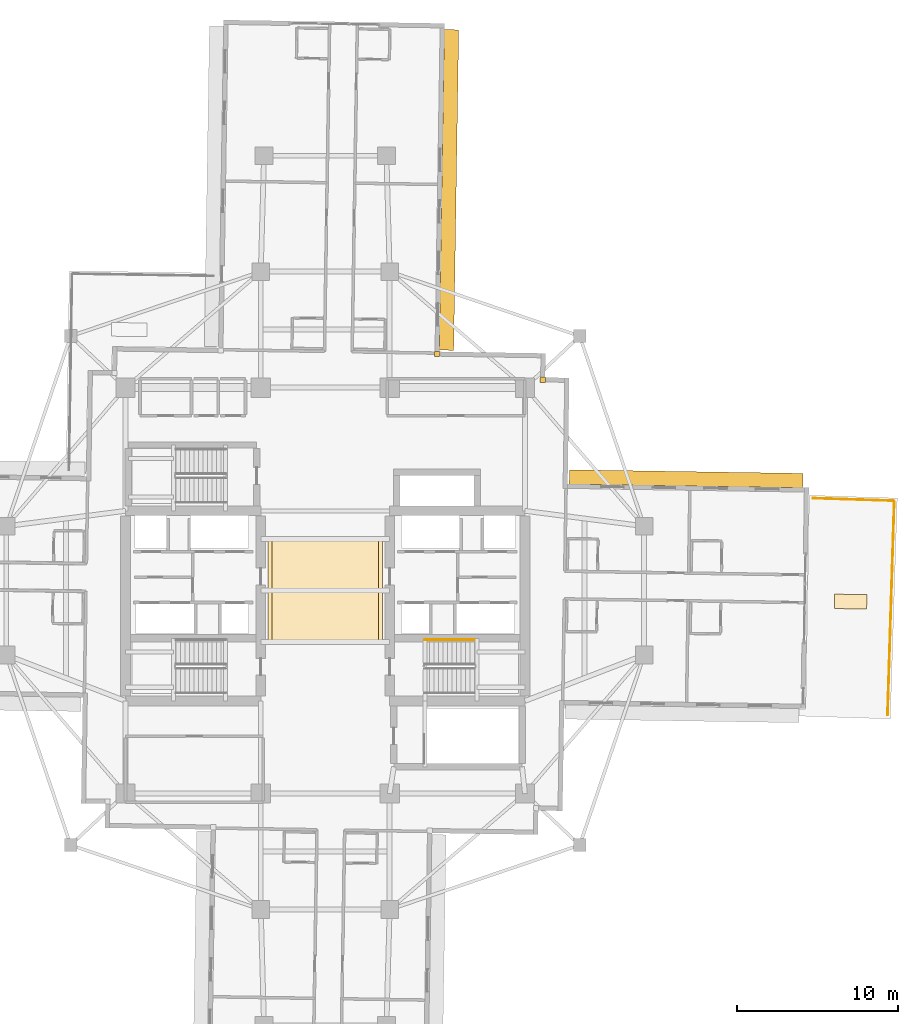
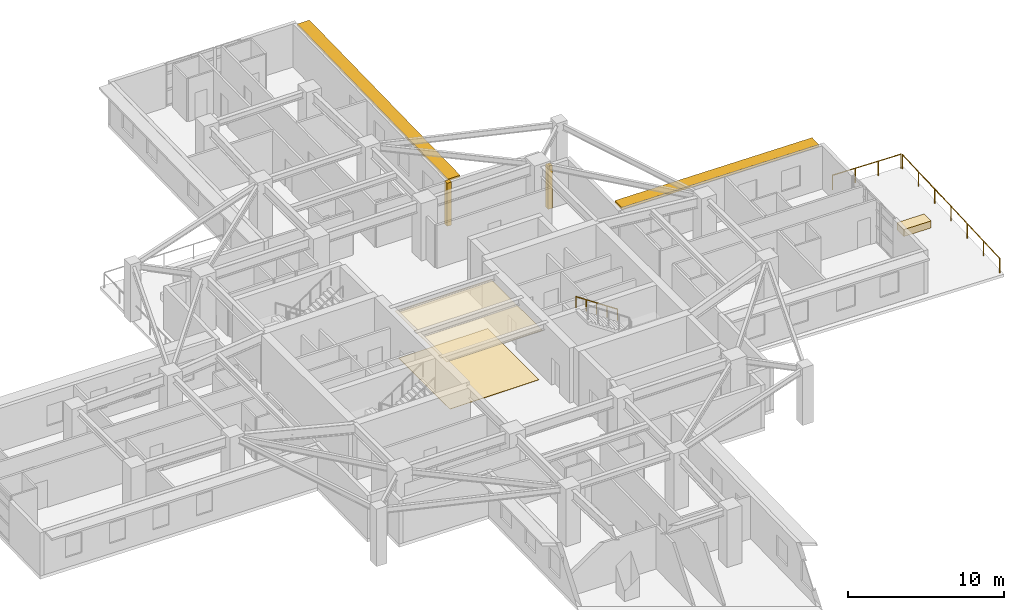
# One storey, part 22 of 22: 5 coverings, 3 railings, 2 shading devices.
"""IFC4 building model written with IfcOpenShell, lengths in metres."""

from ifc_helpers import new_model, si_unit, direction, frame, origin, origin_with_axes, origin_2d, place, context, subcontext, project, spatial, rectangle, circle, extrude, material, layer, layer_set, type_object, element, save


model = new_model("IFC4")

# Units and contexts
model_context = context("Model", 3, precision=1e-05, world=origin(), true_north=direction((0.0, 1.0)))
body_context = subcontext(model_context, "Body", "Model", "MODEL_VIEW")
ifc_project = project(units=[si_unit("LENGTHUNIT", "METRE"), si_unit("AREAUNIT", "SQUARE_METRE"), si_unit("VOLUMEUNIT", "CUBIC_METRE"), si_unit("PLANEANGLEUNIT", "RADIAN"), si_unit("MASSUNIT", "GRAM", prefix="KILO")], contexts=[model_context])

# Site, building, storey
site_placement = place(None, origin())
site = spatial("IfcSite", under=ifc_project, at=site_placement, CompositionType="ELEMENT")
building_placement = place(site_placement, origin())
building = spatial("IfcBuilding", under=site, at=building_placement, Name="Qingluan Cross Belvedere", CompositionType="ELEMENT")
storey_placement = place(building_placement, frame((0.0, 0.0, 100.199951171875)))
storey = spatial("IfcBuildingStorey", under=building, at=storey_placement, Name="L25", CompositionType="ELEMENT", Elevation=100.199951171875)

# Coverings
ifc_material_1 = material(Name="Perforated gypsum acoustic ceiling board")
ifc_layer_1 = layer(ifc_material_1, 0.0400390625, Name="AcousticLobbyCeiling_40")
ifc_layer_set_1 = layer_set([ifc_layer_1], Name="Perforated gypsum acoustic ceiling board")
covering_type_1 = type_object("IfcCoveringType", Name="AcousticLobbyCeiling_40", PredefinedType="CEILING", material=ifc_layer_set_1)
covering_1_placement = place(storey_placement, frame((0.0, 0.0, 3.77197265625), z_axis=(0.0, 0.0, 1.0), x_axis=(1.0, 0.0, 0.0)))
element("IfcCovering", 1, at=covering_1_placement, inside=storey, type_object=covering_type_1, Name="Central lobby acoustic ceiling L25", PredefinedType="CEILING", context=body_context, shape_type="SweptSolid", body=[
    extrude(rectangle(XDim=7.10009765625, YDim=6.60009765625, at=origin_2d()), origin(), (0.0, 0.0, 1.0), 0.0400390625),
])
ifc_material_2 = material(Name="Precast concrete C45", Category="concrete")
ifc_layer_2 = layer(ifc_material_2, 0.1201171875, Name="ConcreteSpandrelCladding_120")
ifc_layer_set_2 = layer_set([ifc_layer_2], Name="Precast concrete C45")
covering_type_2 = type_object("IfcCoveringType", Name="ConcreteSpandrelCladding_120", PredefinedType="CLADDING", material=ifc_layer_set_2)
for number, where, z_axis, x_axis, name in (
    (2, (13.50732421875, 13.089599609375, 0.0), (0.0, 0.0, 1.0), (0.999876632482, -0.015707317312, 0.0), "Corner closure L25-NE1"),
    (3, (6.95166015625, 14.692626953125, 0.0), (0.0, 0.0, 1.0), (0.999876632482, -0.015707317312, 0.0), "Corner closure L25-NE2"),
):
    element("IfcCovering", number, at=place(storey_placement, frame(where, z_axis=z_axis, x_axis=x_axis)), inside=storey, type_object=covering_type_2, Name=name, PredefinedType="CLADDING", context=body_context, shape_type="SweptSolid", body=[
        extrude(rectangle(XDim=0.320068359375, YDim=0.320068359375, at=origin_2d()), origin(), (0.0, 0.0, 1.0), 3.3798828125),
    ])

# Shading devices
ifc_material_3 = material(Name="Precast concrete C45", Category="concrete")
ifc_layer_3 = layer(ifc_material_3, 0.159912109375, Name="ConcreteSunshadeBand_900")
ifc_layer_set_3 = layer_set([ifc_layer_3], Name="Precast concrete C45")
shading_device_type = type_object("IfcShadingDeviceType", Name="ConcreteSunshadeBand_900", PredefinedType="USERDEFINED", material=ifc_layer_set_3)
shading_device_1_placement = place(storey_placement, frame((22.40185546875, 6.93896484375, 3.2001953125), z_axis=(0.0, 0.0, 1.0), x_axis=(-0.999876630106, 0.015707468526, 0.0)))
element("IfcShadingDevice", 4, at=shading_device_1_placement, inside=storey, type_object=shading_device_type, Name="Concrete SUNSHADE L25-EB", ObjectType="SUNSHADE", PredefinedType="USERDEFINED", context=body_context, shape_type="SweptSolid", body=[
    extrude(rectangle(XDim=14.5, YDim=0.89990234375, at=origin_2d()), origin(), (0.0, 0.0, 1.0), 0.159912109375),
])
shading_device_2_placement = place(storey_placement, frame((7.681640625, 24.872314453125, 3.2001953125), z_axis=(0.0, 0.0, 1.0), x_axis=(0.015711457647, 0.999876567432, 0.0)))
element("IfcShadingDevice", 5, at=shading_device_2_placement, inside=storey, type_object=shading_device_type, Name="Concrete SUNSHADE L25-NA", ObjectType="SUNSHADE", PredefinedType="USERDEFINED", context=body_context, shape_type="SweptSolid", body=[
    extrude(rectangle(XDim=19.89990234375, YDim=0.89990234375, at=origin_2d()), origin(), (0.0, 0.0, 1.0), 0.159912109375),
])

# Covering
ifc_material_4 = material(Name="Honed Hubei grey granite stone flooring", Category="masonry")
ifc_layer_4 = layer(ifc_material_4, 0.030029296875, Name="GraniteLobbyFlooring_30")
ifc_layer_set_4 = layer_set([ifc_layer_4], Name="Honed Hubei grey granite stone flooring")
covering_type_3 = type_object("IfcCoveringType", Name="GraniteLobbyFlooring_30", PredefinedType="FLOORING", material=ifc_layer_set_4)
covering_2_placement = place(storey_placement, origin_with_axes())
element("IfcCovering", 6, at=covering_2_placement, inside=storey, type_object=covering_type_3, Name="Central lobby granite flooring L25", PredefinedType="FLOORING", context=body_context, shape_type="SweptSolid", body=[
    extrude(rectangle(XDim=6.60009765625, YDim=6.60009765625, at=origin_2d()), origin(), (0.0, 0.0, 1.0), 0.030029296875),
])

# Railings
ifc_material_5 = material(Name="Brushed stainless steel tubular handrail", Category="steel")
railing_type_1 = type_object("IfcRailingType", Name="StairPitchHandrail_900", PredefinedType="HANDRAIL", material=ifc_material_5)
railing_1_placement = place(storey_placement, frame((9.260009765625, -3.050048828125, 2.4375)))
element("IfcRailing", 7, at=railing_1_placement, inside=storey, type_object=railing_type_1, Name="L25 ST2 stair handrail 2", PredefinedType="HANDRAIL", context=body_context, shape_type="SweptSolid", body=[
    extrude(circle(Radius=0.02392578125, at=origin_2d()), frame((0.0, 0.0, 0.8759765625), z_axis=(-0.830913701846, 0.0, 0.55640131208), x_axis=(0.0, -1.0, 0.0)), (0.0, 0.0, 1.0), 3.706787109375),
    extrude(circle(Radius=0.02099609375, at=origin_2d()), origin(), (0.0, 0.0, 1.0), 0.851806640625),
    extrude(circle(Radius=0.02099609375, at=origin_2d()), frame((-0.77001953125, 0.0, 0.515625)), (0.0, 0.0, 1.0), 0.851806640625),
    extrude(circle(Radius=0.02099609375, at=origin_2d()), frame((-1.5400390625, 0.0, 1.03125)), (0.0, 0.0, 1.0), 0.851806640625),
    extrude(circle(Radius=0.02099609375, at=origin_2d()), frame((-2.31005859375, 0.0, 1.546875)), (0.0, 0.0, 1.0), 0.851806640625),
    extrude(circle(Radius=0.02099609375, at=origin_2d()), frame((-3.080078125, 0.0, 2.0625)), (0.0, 0.0, 1.0), 0.851806640625),
])
ifc_material_6 = material(Name="Laminated glass and stainless steel balustrade", Category="steel")
railing_type_2 = type_object("IfcRailingType", Name="TerraceGuardBalustrade_1150", PredefinedType="BALUSTRADE", material=ifc_material_6)
railing_2_placement = place(storey_placement, frame((30.273681640625, 5.73193359375, 0.0)))
element("IfcRailing", 8, at=railing_2_placement, inside=storey, type_object=railing_type_2, Name="Terrace guard L25-1", PredefinedType="BALUSTRADE", context=body_context, shape_type="SweptSolid", body=[
    extrude(circle(Radius=0.02392578125, at=origin_2d()), frame((0.0, 0.0, 1.1259765625), z_axis=(0.999505721373, -0.031437444912, 0.0), x_axis=(0.031437444912, 0.999505721373, 0.0)), (0.0, 0.0, 1.0), 5.001220703125),
    extrude(circle(Radius=0.02099609375, at=origin_2d()), origin(), (0.0, 0.0, 1.0), 1.101806640625),
    extrude(circle(Radius=0.02099609375, at=origin_2d()), frame((1.666259765625, -0.052490234375, 0.0)), (0.0, 0.0, 1.0), 1.101806640625),
    extrude(circle(Radius=0.02099609375, at=origin_2d()), frame((3.33251953125, -0.104736328125, 0.0)), (0.0, 0.0, 1.0), 1.101806640625),
    extrude(circle(Radius=0.02099609375, at=origin_2d()), frame((4.998779296875, -0.1572265625, 0.0)), (0.0, 0.0, 1.0), 1.101806640625),
])
railing_3_placement = place(storey_placement, frame((35.33056640625, 5.512939453125, 0.0)))
element("IfcRailing", 9, at=railing_3_placement, inside=storey, type_object=railing_type_2, Name="Terrace guard L25-2", PredefinedType="BALUSTRADE", context=body_context, shape_type="SweptSolid", body=[
    extrude(circle(Radius=0.02392578125, at=origin_2d()), frame((0.0, 0.0, 1.1259765625), z_axis=(-0.031402850261, -0.999506808879, 0.0), x_axis=(0.999506808879, -0.031402850261, 0.0)), (0.0, 0.0, 1.0), 13.239990234375),
    extrude(circle(Radius=0.02099609375, at=origin_2d()), origin(), (0.0, 0.0, 1.0), 1.101806640625),
    extrude(circle(Radius=0.02099609375, at=origin_2d()), frame((-0.0693359375, -2.20556640625, 0.0)), (0.0, 0.0, 1.0), 1.101806640625),
    extrude(circle(Radius=0.02099609375, at=origin_2d()), frame((-0.138671875, -4.4111328125, 0.0)), (0.0, 0.0, 1.0), 1.101806640625),
    extrude(circle(Radius=0.02099609375, at=origin_2d()), frame((-0.2080078125, -6.61669921875, 0.0)), (0.0, 0.0, 1.0), 1.101806640625),
    extrude(circle(Radius=0.02099609375, at=origin_2d()), frame((-0.277099609375, -8.822265625, 0.0)), (0.0, 0.0, 1.0), 1.101806640625),
    extrude(circle(Radius=0.02099609375, at=origin_2d()), frame((-0.346435546875, -11.02783203125, 0.0)), (0.0, 0.0, 1.0), 1.101806640625),
    extrude(circle(Radius=0.02099609375, at=origin_2d()), frame((-0.415771484375, -13.2333984375, 0.0)), (0.0, 0.0, 1.0), 1.101806640625),
])

# Covering
ifc_material_7 = material(Name="Precast concrete C40", Category="concrete")
ifc_layer_5 = layer(ifc_material_7, 0.550048828125, Name="TerracePlanterBox")
ifc_layer_set_5 = layer_set([ifc_layer_5], Name="Precast concrete C40")
covering_type_4 = type_object("IfcCoveringType", Name="TerracePlanterBox", PredefinedType="USERDEFINED", material=ifc_layer_set_5)
covering_3_placement = place(storey_placement, frame((32.6220703125, -0.68310546875, 0.0), z_axis=(0.0, 0.0, 1.0), x_axis=(0.999876632482, -0.015707317312, 0.0)))
element("IfcCovering", 10, at=covering_3_placement, inside=storey, type_object=covering_type_4, Name="Terrace garden planter L25-1", ObjectType="PLANTER", PredefinedType="USERDEFINED", context=body_context, shape_type="SweptSolid", body=[
    extrude(rectangle(XDim=2.0, YDim=0.89990234375, at=origin_2d()), origin(), (0.0, 0.0, 1.0), 0.550048828125),
])

save(model, "model.ifc")
